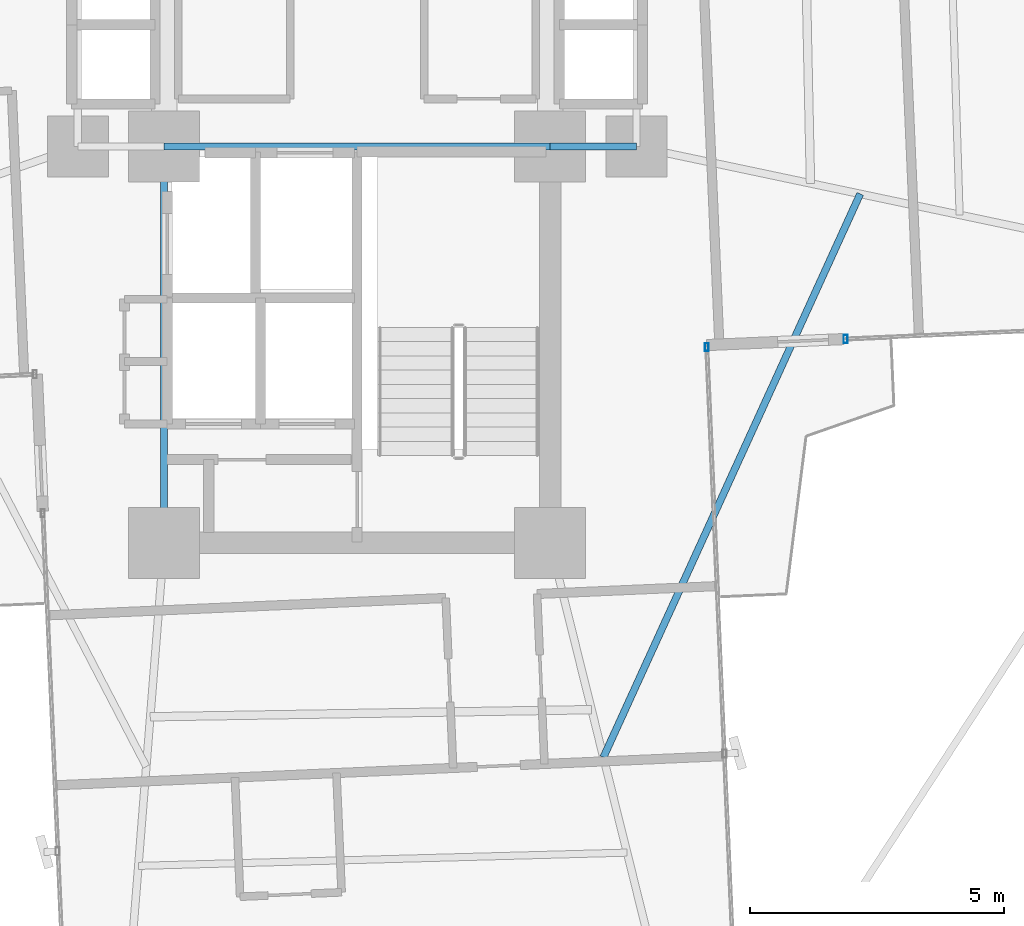
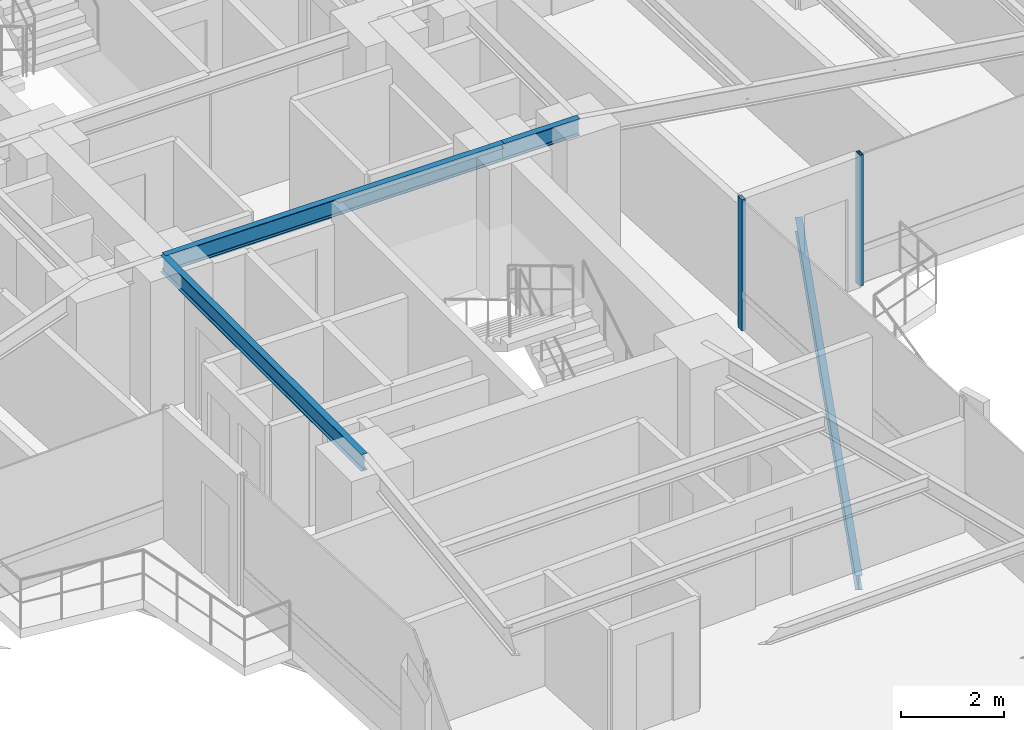
# One storey, part 11 of 26: 4 beams, 2 members, 2 elements without a shape of their own.
"""IFC4 building model written with IfcOpenShell, lengths in metres."""

from ifc_helpers import new_model, si_unit, direction, frame, origin, origin_2d, place, context, subcontext, project, spatial, hollow_rectangle, i_section, extrude, source, transform, mapped, material, material_profile, profile_set, type_object, element, aggregate, save


model = new_model("IFC4")

# Units and contexts
model_context = context("Model", 3, precision=1e-05, world=origin(), true_north=direction((0.0, 1.0)))
body_context = subcontext(model_context, "Body", "Model", "MODEL_VIEW")
ifc_project = project(units=[si_unit("LENGTHUNIT", "METRE"), si_unit("AREAUNIT", "SQUARE_METRE"), si_unit("VOLUMEUNIT", "CUBIC_METRE"), si_unit("PLANEANGLEUNIT", "RADIAN"), si_unit("MASSUNIT", "GRAM", prefix="KILO")], contexts=[model_context])

# Site, building, storey
site_placement = place(None, origin())
site = spatial("IfcSite", under=ifc_project, at=site_placement, CompositionType="ELEMENT")
building_placement = place(site_placement, origin())
building = spatial("IfcBuilding", under=site, at=building_placement, Name="Sahyath Konkavel Grand Hotel", CompositionType="ELEMENT")
storey_placement = place(building_placement, frame((0.0, 0.0, 93.550048828125)))
storey = spatial("IfcBuildingStorey", under=building, at=storey_placement, Name="L25", CompositionType="ELEMENT", Elevation=93.550048828125)

# Beams
ifc_material_1 = material(Name="Steel E350", Category="steel")
ifc_material_profile_1 = material_profile(ifc_material_1, i_section(OverallWidth=0.139892578125, OverallDepth=0.39990234375, WebThickness=0.0087890625, FlangeThickness=0.01611328125, FilletRadius=0.013916015625, at=origin_2d()), Name="ISMB 400")
ifc_profile_set_1 = profile_set([ifc_material_profile_1], Name="Steel E350")
beam_type_1 = type_object("IfcBeamType", Name="BM-ISMB400", PredefinedType="BEAM", material=ifc_profile_set_1)
shared_shape_1 = source(origin(), body_context, "Body", "SweptSolid", [
    extrude(i_section(OverallWidth=0.139892578125, OverallDepth=0.39990234375, WebThickness=0.0087890625, FlangeThickness=0.01611328125, FilletRadius=0.013916015625, at=origin_2d()), origin(), (0.0, 0.0, 1.0), 7.60009765625),
])
beam_1_placement = place(storey_placement, frame((-3.800048828125, -2.39990234375, 2.909912109375), z_axis=(1.0, 0.0, 0.0), x_axis=(0.0, 1.0, 0.0)))
element("IfcBeam", 1, at=beam_1_placement, inside=storey, type_object=beam_type_1, Name="str:bm:L25:SC-N", PredefinedType="BEAM", context=body_context, shape_type="MappedRepresentation", body=[
    mapped(shared_shape_1, transform((0.0, 0.0, 0.0), scale=1.0)),
])
shared_shape_2 = source(origin(), body_context, "Body", "SweptSolid", [
    extrude(i_section(OverallWidth=0.139892578125, OverallDepth=0.39990234375, WebThickness=0.0087890625, FlangeThickness=0.01611328125, FilletRadius=0.013916015625, at=origin_2d()), origin(), (0.0, 0.0, 1.0), 7.800048828125),
])
beam_2_placement = place(storey_placement, frame((-3.800048828125, -10.199951171875, 2.909912109375), z_axis=(0.0, 1.0, 0.0), x_axis=(-1.0, 0.0, 0.0)))
element("IfcBeam", 2, at=beam_2_placement, inside=storey, type_object=beam_type_1, Name="str:bm:L25:SC-W", PredefinedType="BEAM", context=body_context, shape_type="MappedRepresentation", body=[
    mapped(shared_shape_2, transform((0.0, 0.0, 0.0), scale=1.0)),
])
shared_shape_3 = source(origin(), body_context, "Body", "SweptSolid", [
    extrude(i_section(OverallWidth=0.139892578125, OverallDepth=0.39990234375, WebThickness=0.0087890625, FlangeThickness=0.01611328125, FilletRadius=0.013916015625, at=origin_2d()), origin(), (0.0, 0.0, 1.0), 1.699951171875),
])
beam_3_placement = place(storey_placement, frame((3.800048828125, -2.39990234375, 2.909912109375), z_axis=(1.0, 0.0, 0.0), x_axis=(0.0, 1.0, 0.0)))
element("IfcBeam", 3, at=beam_3_placement, inside=storey, type_object=beam_type_1, Name="str:bm:L25:HB-SE", PredefinedType="BEAM", context=body_context, shape_type="MappedRepresentation", body=[
    mapped(shared_shape_3, transform((0.0, 0.0, 0.0), scale=1.0)),
])

# Curtain wall, member
ifc_material_2 = material(Name="Anodised Bronze Aluminium & Low-E Glazing", Category="aluminium")
curtain_wall_type = type_object("IfcCurtainWallType", Name="CW-ZONE2", PredefinedType="NOTDEFINED", material=ifc_material_2)
curtain_wall_1_placement = place(storey_placement, origin())
curtain_wall_1 = element("IfcCurtainWall", 4, at=curtain_wall_1_placement, inside=storey, type_object=curtain_wall_type, Name="L25 Unitised Curtain Wall F0", PredefinedType="NOTDEFINED")
ifc_material_3 = material(Name="Anodised Bronze Aluminium", Category="aluminium")
ifc_material_profile_2 = material_profile(ifc_material_3, hollow_rectangle(XDim=0.080078125, YDim=0.159912109375, WallThickness=0.006103515625, at=origin_2d()), Name="RHS 160x80x6")
ifc_profile_set_2 = profile_set([ifc_material_profile_2], Name="Anodised Bronze Aluminium")
member_type = type_object("IfcMemberType", Name="CW-MUL-160", PredefinedType="MULLION", material=ifc_profile_set_2)
shared_shape_4 = source(origin(), body_context, "Body", "SweptSolid", [
    extrude(hollow_rectangle(XDim=0.080078125, YDim=0.159912109375, WallThickness=0.006103515625, at=origin_2d()), origin(), (0.0, 0.0, 1.0), 3.10986328125),
])
member_1_placement = place(storey_placement, frame((9.618896484375, -6.186279296875, 0.0), z_axis=(0.0, 0.0, 1.0), x_axis=(1.0, 0.0, 0.0)))
member_1 = element("IfcMember", 5, at=member_1_placement, type_object=member_type, Name="L25 Curtain Wall Mullion F0-0", PredefinedType="MULLION", context=body_context, shape_type="MappedRepresentation", body=[
    mapped(shared_shape_4, transform((0.0, 0.0, 0.0), scale=1.0)),
])
aggregate(curtain_wall_1, [member_1])

curtain_wall_2_placement = place(storey_placement, origin())
curtain_wall_2 = element("IfcCurtainWall", 6, at=curtain_wall_2_placement, inside=storey, type_object=curtain_wall_type, Name="L25 Unitised Curtain Wall F31", PredefinedType="NOTDEFINED")
member_2_placement = place(storey_placement, frame((6.88330078125, -6.345703125, 0.0), z_axis=(0.0, 0.0, 1.0), x_axis=(1.0, 0.0, 0.0)))
member_2 = element("IfcMember", 7, at=member_2_placement, type_object=member_type, Name="L25 Curtain Wall Mullion F31-2", PredefinedType="MULLION", context=body_context, shape_type="MappedRepresentation", body=[
    mapped(shared_shape_4, transform((0.0, 0.0, 0.0), scale=1.0)),
])
aggregate(curtain_wall_2, [member_2])

# Beam
ifc_material_profile_3 = material_profile(ifc_material_1, i_section(OverallWidth=0.139892578125, OverallDepth=0.35009765625, WebThickness=0.008056640625, FlangeThickness=0.01416015625, FilletRadius=0.013916015625, at=origin_2d()), Name="ISMB 350")
ifc_profile_set_3 = profile_set([ifc_material_profile_3], Name="Steel E350")
beam_type_2 = type_object("IfcBeamType", Name="BM-BALC-CANT", PredefinedType="BEAM", material=ifc_profile_set_3)
shared_shape_5 = source(origin(), body_context, "Body", "SweptSolid", [
    extrude(i_section(OverallWidth=0.139892578125, OverallDepth=0.35009765625, WebThickness=0.008056640625, FlangeThickness=0.01416015625, FilletRadius=0.013916015625, at=origin_2d()), origin(), (0.0, 0.0, 1.0), 12.190673828125),
])
beam_4_placement = place(storey_placement, frame((4.8486328125, -14.422119140625, -0.4150390625), z_axis=(0.414712580086, 0.909952458054, 0.0), x_axis=(-0.909952458054, 0.414712580086, 0.0)))
element("IfcBeam", 8, at=beam_4_placement, inside=storey, type_object=beam_type_2, Name="L25 Balcony Cantilever Support Beam SE", PredefinedType="BEAM", context=body_context, shape_type="MappedRepresentation", body=[
    mapped(shared_shape_5, transform((0.0, 0.0, 0.0), scale=1.0)),
])

save(model, "model.ifc")
